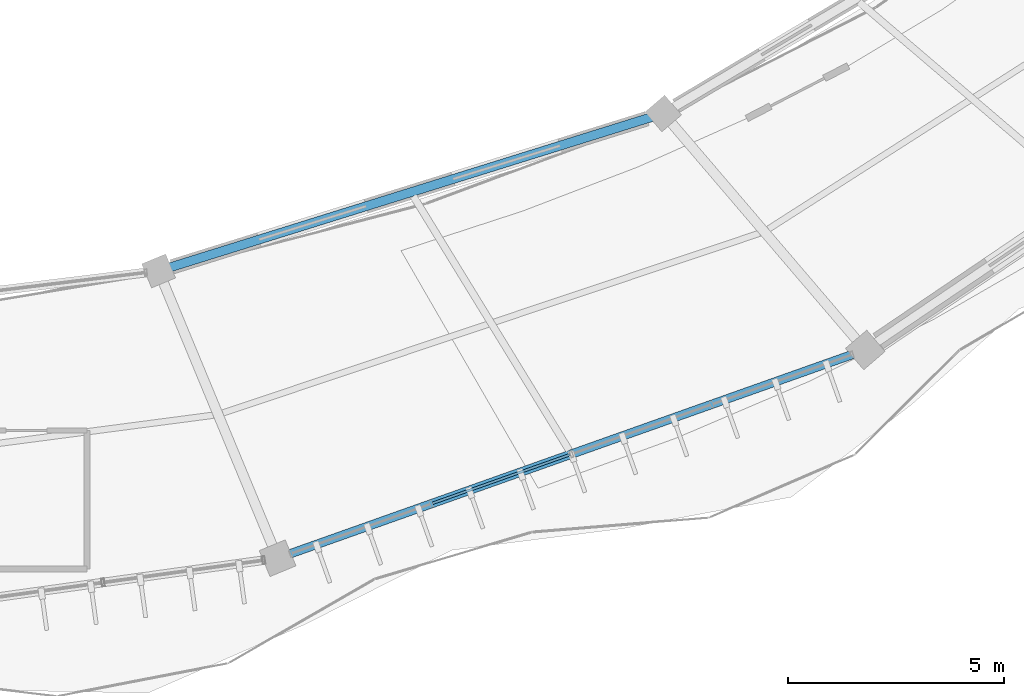
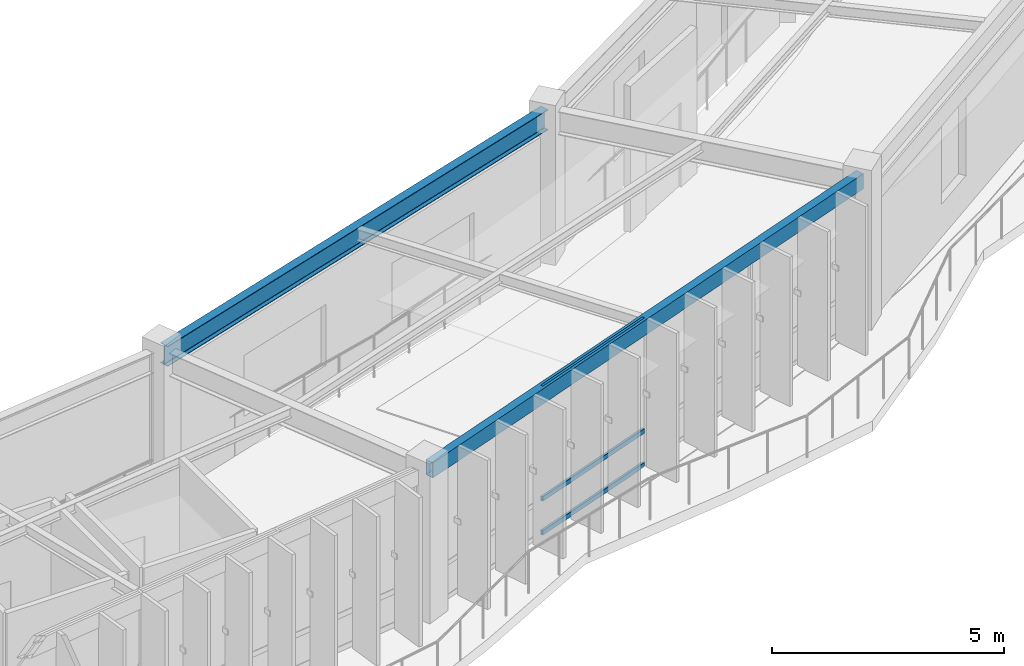
# One storey, part 51 of 114: 3 members, 2 beams, 1 element without a shape of its own.
"""IFC4 building model written with IfcOpenShell, lengths in metres."""

from ifc_helpers import new_model, si_unit, direction, frame, origin, origin_2d, place, context, subcontext, project, spatial, hollow_rectangle, i_section, extrude, material, material_profile, profile_set, type_object, element, aggregate, save


model = new_model("IFC4")

# Units and contexts
model_context = context("Model", 3, precision=1e-05, world=origin(), true_north=direction((0.0, 1.0)))
body_context = subcontext(model_context, "Body", "Model", "MODEL_VIEW")
ifc_project = project(units=[si_unit("LENGTHUNIT", "METRE"), si_unit("AREAUNIT", "SQUARE_METRE"), si_unit("VOLUMEUNIT", "CUBIC_METRE"), si_unit("PLANEANGLEUNIT", "RADIAN"), si_unit("MASSUNIT", "GRAM", prefix="KILO"), si_unit("THERMODYNAMICTEMPERATUREUNIT", "KELVIN"), si_unit("POWERUNIT", "WATT")], contexts=[model_context])

# Site, building, storey
site_placement = place(None, origin())
site = spatial("IfcSite", under=ifc_project, at=site_placement, CompositionType="ELEMENT")
building_placement = place(site_placement, origin())
building = spatial("IfcBuilding", under=site, at=building_placement, Name="Darbajah Civic Hall", CompositionType="ELEMENT")
storey_placement = place(building_placement, frame((0.0, 0.0, 13.800048828125)))
storey = spatial("IfcBuildingStorey", under=building, at=storey_placement, Name="L03", CompositionType="ELEMENT", Elevation=13.800048828125)

# Curtain wall, members
ifc_material_1 = material(Name="Anodised Bronze Aluminium and Low-E Glazing", Category="aluminium")
curtain_wall_type = type_object("IfcCurtainWallType", Name="Unitised Curtain Wall CW-62 13800x3900", PredefinedType="USERDEFINED", material=ifc_material_1)
curtain_wall_placement = place(storey_placement, origin())
curtain_wall = element("IfcCurtainWall", 1, at=curtain_wall_placement, inside=storey, type_object=curtain_wall_type, Name="L03 unitised curtain wall CW-V1O-L03-16", ObjectType="UNITISED CURTAIN WALL", PredefinedType="USERDEFINED")
ifc_material_2 = material(Name="Anodised Bronze Aluminium", Category="aluminium")
ifc_material_profile_1 = material_profile(ifc_material_2, hollow_rectangle(XDim=0.06005859375, YDim=0.1201171875, WallThickness=0.003173828125, at=origin_2d()), Name="ALU TRANSOM 60x120")
ifc_profile_set_1 = profile_set([ifc_material_profile_1], Name="Anodised Bronze Aluminium")
member_type = type_object("IfcMemberType", Name="ALU TRANSOM 60x120", PredefinedType="USERDEFINED", material=ifc_profile_set_1)
member_1_placement = place(storey_placement, frame((112.205078125, 63.8173828125, 0.06005859375), z_axis=(0.942539464271, 0.334094834277, 0.0), x_axis=(-0.334094834277, 0.942539464271, 0.0)))
member_1 = element("IfcMember", 2, at=member_1_placement, type_object=member_type, Name="CW-V1O-L03-16 transom 2.1", ObjectType="TRANSOM", PredefinedType="USERDEFINED", context=body_context, shape_type="SweptSolid", body=[
    extrude(hollow_rectangle(XDim=0.06005859375, YDim=0.1201171875, WallThickness=0.003173828125, at=origin_2d()), origin(), (0.0, 0.0, 1.0), 3.375244140625),
])
member_2_placement = place(storey_placement, frame((112.205078125, 63.8173828125, 0.949951171875), z_axis=(0.942539464271, 0.334094834277, 0.0), x_axis=(-0.334094834277, 0.942539464271, 0.0)))
member_2 = element("IfcMember", 3, at=member_2_placement, type_object=member_type, Name="CW-V1O-L03-16 transom 2.2", ObjectType="TRANSOM", PredefinedType="USERDEFINED", context=body_context, shape_type="SweptSolid", body=[
    extrude(hollow_rectangle(XDim=0.06005859375, YDim=0.1201171875, WallThickness=0.003173828125, at=origin_2d()), origin(), (0.0, 0.0, 1.0), 3.375244140625),
])
member_3_placement = place(storey_placement, frame((112.205078125, 63.8173828125, 3.85986328125), z_axis=(0.942539464271, 0.334094834277, 0.0), x_axis=(-0.334094834277, 0.942539464271, 0.0)))
member_3 = element("IfcMember", 4, at=member_3_placement, type_object=member_type, Name="CW-V1O-L03-16 transom 2.3", ObjectType="TRANSOM", PredefinedType="USERDEFINED", context=body_context, shape_type="SweptSolid", body=[
    extrude(hollow_rectangle(XDim=0.06005859375, YDim=0.1201171875, WallThickness=0.003173828125, at=origin_2d()), origin(), (0.0, 0.0, 1.0), 3.375244140625),
])
aggregate(curtain_wall, [member_1, member_2, member_3])

# Beams
ifc_material_3 = material(Name="Steel S355JR", Category="steel")
ifc_material_profile_2 = material_profile(ifc_material_3, hollow_rectangle(XDim=0.199951171875, YDim=0.39990234375, WallThickness=0.013916015625, at=origin_2d()), Name="RHS 400x200x14")
ifc_profile_set_2 = profile_set([ifc_material_profile_2], Name="Steel S355JR")
beam_type_1 = type_object("IfcBeamType", Name="RHS 400x200x14", PredefinedType="SPANDREL", material=ifc_profile_set_2)
beam_1_placement = place(storey_placement, frame((108.6923828125, 62.572265625, 3.719970703125), z_axis=(0.942537934189, 0.334099150875, 0.0), x_axis=(-0.334099150875, 0.942537934189, 0.0)))
element("IfcBeam", 5, at=beam_1_placement, inside=storey, type_object=beam_type_1, Name="L03 beam SP-RHS400", PredefinedType="SPANDREL", context=body_context, shape_type="SweptSolid", body=[
    extrude(hollow_rectangle(XDim=0.199951171875, YDim=0.39990234375, WallThickness=0.013916015625, at=origin_2d()), origin(), (0.0, 0.0, 1.0), 14.2744140625),
])
ifc_material_profile_3 = material_profile(ifc_material_3, i_section(OverallWidth=0.209228515625, OverallDepth=0.533203125, WebThickness=0.010009765625, FlangeThickness=0.015625, FilletRadius=0.0126953125, at=origin_2d()), Name="UB 533x210x92")
ifc_profile_set_3 = profile_set([ifc_material_profile_3], Name="Steel S355JR")
beam_type_2 = type_object("IfcBeamType", Name="UB 533x210x92", PredefinedType="BEAM", material=ifc_profile_set_3)
beam_2_placement = place(storey_placement, frame((105.93798828125, 69.22119140625, 3.653564453125), z_axis=(0.954614020433, 0.297845718441, 0.0), x_axis=(-0.297845718441, 0.954614020433, 0.0)))
element("IfcBeam", 6, at=beam_2_placement, inside=storey, type_object=beam_type_2, Name="L03 beam SB-533", PredefinedType="BEAM", context=body_context, shape_type="SweptSolid", body=[
    extrude(i_section(OverallWidth=0.209228515625, OverallDepth=0.533203125, WebThickness=0.010009765625, FlangeThickness=0.015625, FilletRadius=0.0126953125, at=origin_2d()), origin(), (0.0, 0.0, 1.0), 12.079833984375),
])

save(model, "model.ifc")
